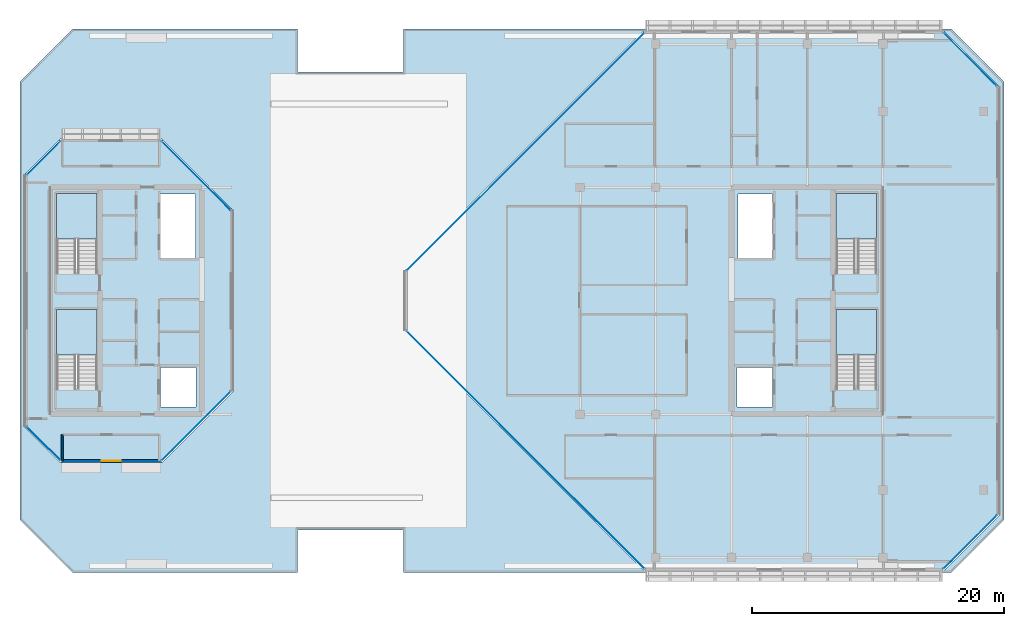
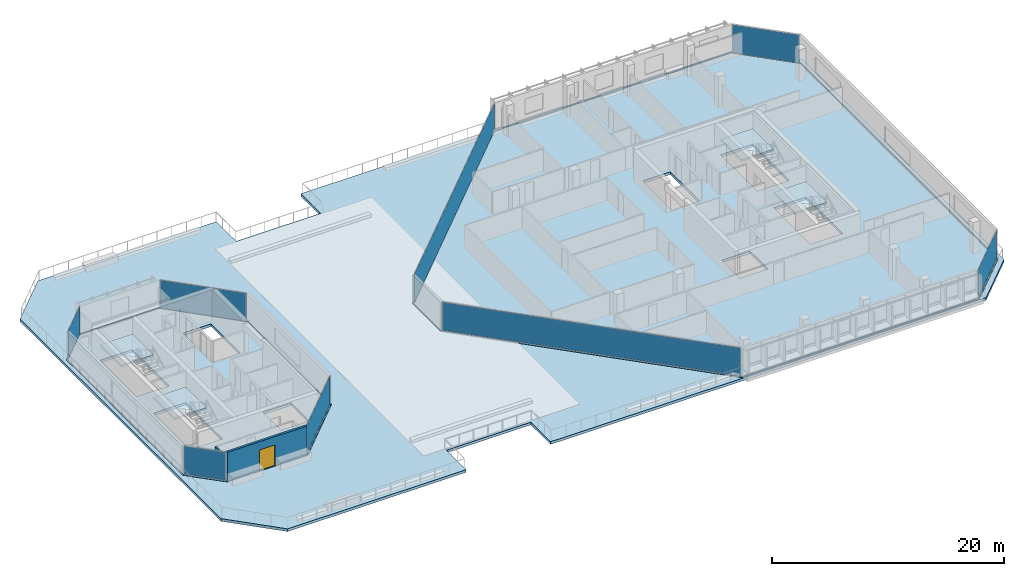
# One storey, part 20 of 30: 8 plates, 7 slabs, 2 walls, 1 door, 1 opening, 12 elements without a shape of their own.
"""IFC4 building model written with IfcOpenShell, lengths in metres."""

import ifcopenshell
import ifcopenshell.guid

model = None  # the IFC model being written
_history = None  # IfcOwnerHistory: only IFC2X3 demands one
_inside = {}  # id of a spatial element -> (the spatial element, [elements in it])
_under = {}  # id of a project, library or spatial element -> (it, [spatial elements below it])
_declared = {}  # id of a project -> (the project, [libraries it declares])
_typed = {}  # id of a type object -> (the type object, [elements of that type])
_made_of = {}  # id of a material, layer set ... -> (it, [elements and type objects made of it])


def new_model(schema):
    """Start an empty IFC model of exactly this schema.

    Asked for "IFC4X3", IfcOpenShell would pick the latest addendum, in which some entities
    have other attributes; the version numbers below select the first issue.
    IFC2X3 requires an IfcOwnerHistory on every rooted entity: one is made here for all.
    """
    global model, _history
    if schema == "IFC4X3":
        model = ifcopenshell.file(schema_version=(4, 3, 0, 0))
    else:
        model = ifcopenshell.file(schema=schema)
    _inside.clear()
    _under.clear()
    _declared.clear()
    _typed.clear()
    _made_of.clear()
    _history = None
    if model.schema == "IFC2X3":
        org = make("IfcOrganization", Name="unknown")
        user = make(
            "IfcPersonAndOrganization",
            ThePerson=make("IfcPerson", FamilyName="unknown"),
            TheOrganization=org,
        )
        app = make(
            "IfcApplication",
            ApplicationDeveloper=org,
            Version="unknown",
            ApplicationFullName="unknown",
            ApplicationIdentifier="unknown",
        )
        _history = make(
            "IfcOwnerHistory",
            OwningUser=user,
            OwningApplication=app,
            ChangeAction="ADDED",
            CreationDate=0,
        )
    return model


def make(cls, **values):
    """One entity of the class cls with the attributes given. An attribute that is None is left unset."""
    return model.create_entity(
        cls, **{name: value for name, value in values.items() if value is not None}
    )


def rooted(cls, **values):
    """An entity with a GlobalId (a new one), such as an element, a storey or a relation."""
    return make(cls, GlobalId=ifcopenshell.guid.new(), OwnerHistory=_history, **values)


def si_unit(unit_type, name, prefix=None):
    """IfcSIUnit, for example si_unit("LENGTHUNIT", "METRE", prefix="MILLI")."""
    return make("IfcSIUnit", UnitType=unit_type, Prefix=prefix, Name=name)


def assignment(units):
    """IfcUnitAssignment: the units of a project."""
    return None if units is None else make("IfcUnitAssignment", Units=units)


def point(xyz):
    """IfcCartesianPoint."""
    return None if xyz is None else make("IfcCartesianPoint", Coordinates=xyz)


def direction(xyz):
    """IfcDirection."""
    return None if xyz is None else make("IfcDirection", DirectionRatios=xyz)


def frame(location, z_axis=None, x_axis=None):
    """IfcAxis2Placement3D, a coordinate frame: its origin and axes. An axis left out is left unset."""
    return make(
        "IfcAxis2Placement3D",
        Location=point(location),
        Axis=direction(z_axis),
        RefDirection=direction(x_axis),
    )


def frame_2d(location, x_axis=None):
    """IfcAxis2Placement2D, a coordinate frame in the plane: its origin and x axis."""
    return make(
        "IfcAxis2Placement2D", Location=point(location), RefDirection=direction(x_axis)
    )


def origin():
    """The frame at (0, 0, 0) with its axes left unset."""
    return frame((0.0, 0.0, 0.0))


def origin_2d():
    """The frame at (0, 0) in the plane with its x axis left unset."""
    return frame_2d((0.0, 0.0))


def place(relative_to, where):
    """IfcLocalPlacement: puts the frame where relative to a parent placement (None: the world)."""
    return make(
        "IfcLocalPlacement", PlacementRelTo=relative_to, RelativePlacement=where
    )


def context(
    kind, dimensions, precision=None, world=None, true_north=None, identifier=None
):
    """IfcGeometricRepresentationContext, for example the 3D "Model" context."""
    return make(
        "IfcGeometricRepresentationContext",
        ContextIdentifier=identifier,
        ContextType=kind,
        CoordinateSpaceDimension=dimensions,
        Precision=precision,
        WorldCoordinateSystem=world,
        TrueNorth=true_north,
    )


def subcontext(parent, identifier, kind, view, scale=None):
    """IfcGeometricRepresentationSubContext, for example "Body" below "Model"."""
    return make(
        "IfcGeometricRepresentationSubContext",
        ContextIdentifier=identifier,
        ContextType=kind,
        ParentContext=parent,
        TargetScale=scale,
        TargetView=view,
    )


def project(units=None, contexts=None):
    """IfcProject with its units and contexts."""
    return rooted(
        "IfcProject",
        Name="project",
        RepresentationContexts=contexts,
        UnitsInContext=assignment(units),
    )


def spatial(cls, under=None, at=None, **own):
    """A site, building, storey or space (cls), placed at a placement, below another one or the project."""
    s = rooted(cls, ObjectPlacement=at, **own)
    if under is not None:
        _under.setdefault(under.id(), (under, []))[1].append(s)
    return s


def polyline(points):
    """IfcPolyline through the points."""
    return make("IfcPolyline", Points=[point(p) for p in points])


def profile(cls, at=None, kind="AREA", **sizes):
    """A parametric profile (cls). Its sizes go by their IFC names, for example OverallWidth=200.0."""
    return make(cls, ProfileType=kind, Position=at, **sizes)


def rectangle(**sizes):
    """IfcRectangleProfileDef."""
    return profile("IfcRectangleProfileDef", **sizes)


def outline(outer, holes=None, kind="AREA"):
    """IfcArbitraryClosedProfileDef: a profile drawn as a closed curve; with holes, ...WithVoids."""
    if holes is None:
        return make("IfcArbitraryClosedProfileDef", ProfileType=kind, OuterCurve=outer)
    return make(
        "IfcArbitraryProfileDefWithVoids",
        ProfileType=kind,
        OuterCurve=outer,
        InnerCurves=holes,
    )


def extrude(swept, where, along, depth):
    """IfcExtrudedAreaSolid: the profile swept, set in the frame where, extruded along a direction by depth."""
    return make(
        "IfcExtrudedAreaSolid",
        SweptArea=swept,
        Position=where,
        ExtrudedDirection=direction(along),
        Depth=depth,
    )


def shape(context_of_items, identifier, shape_type, items):
    """IfcShapeRepresentation: the items that make up one representation, for example the "Body"."""
    return make(
        "IfcShapeRepresentation",
        ContextOfItems=context_of_items,
        RepresentationIdentifier=identifier,
        RepresentationType=shape_type,
        Items=items,
    )


def material(Name=None, Category=None):
    """IfcMaterial."""
    return make("IfcMaterial", Name=Name, Category=Category)


def layer(
    of_material, thickness, ventilated=None, Name=None, Category=None, Priority=None
):
    """IfcMaterialLayer: one layer of a wall or slab, of a material (None: an air gap)."""
    return make(
        "IfcMaterialLayer",
        Material=of_material,
        LayerThickness=thickness,
        IsVentilated=ventilated,
        Name=Name,
        Category=Category,
        Priority=Priority,
    )


def layer_set(layers, Name=None):
    """IfcMaterialLayerSet."""
    return make("IfcMaterialLayerSet", MaterialLayers=layers, LayerSetName=Name)


def made_of(thing, what):
    """Note that an element or type object is made of a material, layer set ...; save() writes the relation."""
    if what is not None:
        _made_of.setdefault(what.id(), (what, []))[1].append(thing)
    return thing


def type_object(cls, material=None, **own):
    """A type object (cls), such as IfcWallType, which elements share."""
    return made_of(rooted(cls, **own), material)


def element(
    cls,
    number,
    at=None,
    inside=None,
    cuts=None,
    type_object=None,
    material=None,
    context=None,
    identifier="Body",
    shape_type=None,
    held_by="IfcProductDefinitionShape",
    body=None,
    shapes=None,
    **own,
):
    """One element of the class cls, such as IfcWall. Its Tag is "e" and its number.

    at: its placement. inside: the storey or other place that contains it. cuts: it is an
    opening in that element (IfcRelVoidsElement). A single representation is given by context,
    identifier, shape_type and body (its items); several are given by shapes. held_by: the class
    of the entity that holds the representations. save() writes the other relations.
    """
    e = rooted(cls, Tag="e%d" % number, ObjectPlacement=at, **own)
    if body is not None:
        shapes = [shape(context, identifier, shape_type, body)]
    if shapes is not None:
        e.Representation = make(held_by, Representations=shapes)
    if inside is not None:
        _inside.setdefault(inside.id(), (inside, []))[1].append(e)
    if cuts is not None:
        rooted(
            "IfcRelVoidsElement", RelatingBuildingElement=cuts, RelatedOpeningElement=e
        )
    if type_object is not None:
        _typed.setdefault(type_object.id(), (type_object, []))[1].append(e)
    return made_of(e, material)


def fill(opening, filler):
    """IfcRelFillsElement: the door or window that sits in an opening."""
    return rooted(
        "IfcRelFillsElement",
        RelatingOpeningElement=opening,
        RelatedBuildingElement=filler,
    )


def aggregate(whole, parts):
    """IfcRelAggregates: a whole, such as a stair, and the parts it consists of."""
    return rooted("IfcRelAggregates", RelatingObject=whole, RelatedObjects=parts)


def save(model, path):
    """Write the relations noted so far, then the file.

    IfcRelAggregates (storeys below a building ...), IfcRelContainedInSpatialStructure (elements
    in a storey), IfcRelDefinesByType, IfcRelAssociatesMaterial and IfcRelDeclares: one each for
    every whole, place, type object, material and project.
    """
    for whole, parts in _under.values():
        aggregate(whole, parts)
    for where, things in _inside.values():
        rooted(
            "IfcRelContainedInSpatialStructure",
            RelatedElements=things,
            RelatingStructure=where,
        )
    for kind, things in _typed.values():
        rooted("IfcRelDefinesByType", RelatedObjects=things, RelatingType=kind)
    for what, things in _made_of.values():
        rooted("IfcRelAssociatesMaterial", RelatedObjects=things, RelatingMaterial=what)
    for by, libraries in _declared.values():
        rooted("IfcRelDeclares", RelatingContext=by, RelatedDefinitions=libraries)
    model.write(path)


model = new_model("IFC4")

# Units and contexts
model_context = context("Model", 3, precision=1e-05, world=origin(), true_north=direction((0.0, 1.0)))
body_context = subcontext(model_context, "Body", "Model", "MODEL_VIEW")
ifc_project = project(units=[si_unit("LENGTHUNIT", "METRE"), si_unit("AREAUNIT", "SQUARE_METRE"), si_unit("VOLUMEUNIT", "CUBIC_METRE"), si_unit("PLANEANGLEUNIT", "RADIAN"), si_unit("MASSUNIT", "GRAM", prefix="KILO")], contexts=[model_context])

# Site, building, storey
site_placement = place(None, origin())
site = spatial("IfcSite", under=ifc_project, at=site_placement, CompositionType="ELEMENT")
building_placement = place(site_placement, origin())
building = spatial("IfcBuilding", under=site, at=building_placement, Name="Tanjung Sevakor Pilgrim Tower", CompositionType="ELEMENT")
storey_placement = place(building_placement, frame((0.0, 0.0, 229.35009765625)))
storey = spatial("IfcBuildingStorey", under=building, at=storey_placement, Name="L64", CompositionType="ELEMENT", Elevation=229.35009765625)

# Stair, slab
ifc_material_1 = material(Name="Concrete C40/50", Category="concrete")
stair_type = type_object("IfcStairType", Name="STAIR-ST-CR150", PredefinedType="HALF_TURN_STAIR", material=ifc_material_1)
stair_1_placement = place(storey_placement, origin())
stair_1 = element("IfcStair", 1, at=stair_1_placement, inside=storey, type_object=stair_type, Name="L64 West Core Exit Stair 1", PredefinedType="HALF_TURN_STAIR")
ifc_material_2 = material(Name="Concrete C40/50", Category="concrete")
ifc_layer_1 = layer(ifc_material_2, 0.199951171875)
ifc_layer_set_1 = layer_set([ifc_layer_1], Name="SL-LAND-200")
slab_type_1 = type_object("IfcSlabType", Name="SL-LAND-200", PredefinedType="LANDING", material=ifc_layer_set_1)
slab_1_placement = place(storey_placement, frame((0.0, 0.0, 1.449951171875)))
slab_1 = element("IfcSlab", 2, at=slab_1_placement, type_object=slab_type_1, Name="TS-W1 landing 1", PredefinedType="LANDING", context=body_context, shape_type="SweptSolid", body=[
    extrude(outline(polyline([(27.699951171875, 29.300048828125), (27.699951171875, 32.89990234375), (24.5, 32.89990234375), (24.5, 29.300048828125), (27.699951171875, 29.300048828125)])), origin(), (0.0, 0.0, 1.0), 0.199951171875),
])
aggregate(stair_1, [slab_1])

stair_2_placement = place(storey_placement, origin())
stair_2 = element("IfcStair", 3, at=stair_2_placement, inside=storey, type_object=stair_type, Name="L64 West Core Exit Stair 2", PredefinedType="HALF_TURN_STAIR")
slab_2_placement = place(storey_placement, frame((0.0, 0.0, 1.449951171875)))
slab_2 = element("IfcSlab", 4, at=slab_2_placement, type_object=slab_type_1, Name="TS-W2 landing 1", PredefinedType="LANDING", context=body_context, shape_type="SweptSolid", body=[
    extrude(outline(polyline([(27.699951171875, 38.5), (27.699951171875, 42.10009765625), (24.5, 42.10009765625), (24.5, 38.5), (27.699951171875, 38.5)])), origin(), (0.0, 0.0, 1.0), 0.199951171875),
])
aggregate(stair_2, [slab_2])

stair_3_placement = place(storey_placement, origin())
stair_3 = element("IfcStair", 5, at=stair_3_placement, inside=storey, type_object=stair_type, Name="L64 East Core Exit Stair 1", PredefinedType="HALF_TURN_STAIR")
slab_3_placement = place(storey_placement, frame((0.0, 0.0, 1.449951171875)))
slab_3 = element("IfcSlab", 6, at=slab_3_placement, type_object=slab_type_1, Name="TS-E1 landing 1", PredefinedType="LANDING", context=body_context, shape_type="SweptSolid", body=[
    extrude(outline(polyline([(89.5, 29.300048828125), (89.5, 32.89990234375), (86.300048828125, 32.89990234375), (86.300048828125, 29.300048828125), (89.5, 29.300048828125)])), origin(), (0.0, 0.0, 1.0), 0.199951171875),
])
aggregate(stair_3, [slab_3])

stair_4_placement = place(storey_placement, origin())
stair_4 = element("IfcStair", 7, at=stair_4_placement, inside=storey, type_object=stair_type, Name="L64 East Core Exit Stair 2", PredefinedType="HALF_TURN_STAIR")
slab_4_placement = place(storey_placement, frame((0.0, 0.0, 1.449951171875)))
slab_4 = element("IfcSlab", 8, at=slab_4_placement, type_object=slab_type_1, Name="TS-E2 landing 1", PredefinedType="LANDING", context=body_context, shape_type="SweptSolid", body=[
    extrude(outline(polyline([(89.5, 38.5), (89.5, 42.10009765625), (86.300048828125, 42.10009765625), (86.300048828125, 38.5), (89.5, 38.5)])), origin(), (0.0, 0.0, 1.0), 0.199951171875),
])
aggregate(stair_4, [slab_4])

# Slabs
ifc_material_3 = material(Name="Concrete C40/50", Category="concrete")
ifc_layer_2 = layer(ifc_material_3, 0.280029296875)
ifc_layer_set_2 = layer_set([ifc_layer_2], Name="SL-SKY-280")
slab_type_2 = type_object("IfcSlabType", Name="SL-SKY-280", PredefinedType="FLOOR", material=ifc_layer_set_2)
slab_5_placement = place(storey_placement, frame((0.0, 0.0, -0.280029296875)))
element("IfcSlab", 9, at=slab_5_placement, inside=storey, type_object=slab_type_2, Name="L64 Floor Slab WEST", PredefinedType="FLOOR", context=body_context, shape_type="SweptSolid", body=[
    extrude(outline(polyline([(24.846923828125, 20.8798828125), (32.802978515625, 20.8798828125), (38.3701171875, 26.447021484375), (38.3701171875, 40.753173828125), (32.802978515625, 46.320068359375), (24.846923828125, 46.320068359375), (22.080078125, 43.552978515625), (22.080078125, 23.64697265625), (24.846923828125, 20.8798828125)]), holes=[polyline([(27.699951171875, 26.60009765625), (27.699951171875, 32.89990234375), (24.5, 32.89990234375), (24.5, 26.60009765625), (27.699951171875, 26.60009765625)]), polyline([(27.699951171875, 35.800048828125), (27.699951171875, 42.10009765625), (24.5, 42.10009765625), (24.5, 35.800048828125), (27.699951171875, 35.800048828125)]), polyline([(32.75, 25.199951171875), (35.550048828125, 25.199951171875), (35.550048828125, 28.300048828125), (32.75, 28.300048828125), (32.75, 25.199951171875)]), polyline([(32.75, 37.0), (35.5, 37.0), (35.5, 42.050048828125), (32.75, 42.050048828125), (32.75, 37.0)])]), origin(), (0.0, 0.0, 1.0), 0.280029296875),
])
slab_6_placement = place(storey_placement, frame((0.0, 0.0, -0.280029296875)))
element("IfcSlab", 10, at=slab_6_placement, inside=storey, type_object=slab_type_2, Name="L64 Floor Slab EAST", PredefinedType="FLOOR", context=body_context, shape_type="SweptSolid", body=[
    extrude(outline(polyline([(71.14697265625, 12.280029296875), (94.753173828125, 12.280029296875), (99.1201171875, 16.64697265625), (99.1201171875, 50.552978515625), (94.753173828125, 54.919921875), (71.14697265625, 54.919921875), (52.179931640625, 35.953125), (52.179931640625, 31.246826171875), (71.14697265625, 12.280029296875)]), holes=[polyline([(89.5, 26.60009765625), (89.5, 32.89990234375), (86.300048828125, 32.89990234375), (86.300048828125, 26.60009765625), (89.5, 26.60009765625)]), polyline([(89.5, 35.800048828125), (89.5, 42.10009765625), (86.300048828125, 42.10009765625), (86.300048828125, 35.800048828125), (89.5, 35.800048828125)]), polyline([(78.449951171875, 25.199951171875), (81.25, 25.199951171875), (81.25, 28.300048828125), (78.449951171875, 28.300048828125), (78.449951171875, 25.199951171875)]), polyline([(78.5, 37.0), (81.25, 37.0), (81.25, 42.050048828125), (78.5, 42.050048828125), (78.5, 37.0)])]), origin(), (0.0, 0.0, 1.0), 0.280029296875),
])
ifc_material_4 = material(Name="Concrete C40/50", Category="concrete")
ifc_layer_3 = layer(ifc_material_4, 0.239990234375)
ifc_layer_set_3 = layer_set([ifc_layer_3], Name="SL-TER-240")
slab_type_3 = type_object("IfcSlabType", Name="SL-TER-240", PredefinedType="FLOOR", material=ifc_layer_set_3)
slab_7_placement = place(storey_placement, frame((0.0, 0.0, -0.280029296875)))
element("IfcSlab", 11, at=slab_7_placement, inside=storey, type_object=slab_type_3, Name="L64 Crown Split Sky-Garden Terrace", PredefinedType="FLOOR", context=body_context, shape_type="SweptSolid", body=[
    extrude(outline(polyline([(25.800048828125, 12.050048828125), (43.60009765625, 12.050048828125), (43.60009765625, 15.449951171875), (52.0, 15.449951171875), (52.0, 12.050048828125), (95.39990234375, 12.050048828125), (99.60009765625, 16.25), (99.60009765625, 50.949951171875), (95.39990234375, 55.14990234375), (52.0, 55.14990234375), (52.0, 51.75), (43.60009765625, 51.75), (43.60009765625, 55.14990234375), (25.800048828125, 55.14990234375), (21.60009765625, 50.949951171875), (21.60009765625, 16.25), (25.800048828125, 12.050048828125)]), holes=[polyline([(24.788330078125, 20.780029296875), (32.86181640625, 20.780029296875), (38.469970703125, 26.38818359375), (38.469970703125, 40.811767578125), (32.86181640625, 46.419921875), (24.788330078125, 46.419921875), (21.97998046875, 43.61181640625), (21.97998046875, 23.58837890625), (24.788330078125, 20.780029296875)]), polyline([(71.08837890625, 12.179931640625), (94.811767578125, 12.179931640625), (99.219970703125, 16.58837890625), (99.219970703125, 50.61181640625), (94.811767578125, 55.02001953125), (71.08837890625, 55.02001953125), (52.080078125, 36.01171875), (52.080078125, 31.188232421875), (71.08837890625, 12.179931640625)])]), origin(), (0.0, 0.0, 1.0), 0.280029296875),
])

# Curtain wall, plate
ifc_material_5 = material(Name="Aluminium 6063-T6 and Low-E Glass", Category="aluminium")
ifc_layer_4 = layer(ifc_material_5, 0.179931640625)
ifc_layer_set_4 = layer_set([ifc_layer_4], Name="CW-SYS-CHAM")
curtain_wall_type = type_object("IfcCurtainWallType", Name="CW-SYS-CHAM", PredefinedType="NOTDEFINED", material=ifc_layer_set_4)
curtain_wall_1_placement = place(storey_placement, origin())
curtain_wall_1 = element("IfcCurtainWall", 12, at=curtain_wall_1_placement, inside=storey, type_object=curtain_wall_type, Name="L64 Curtain Wall CW-CHM-L64-WEST-1", PredefinedType="NOTDEFINED")
ifc_material_6 = material(Name="Laminated Low-E Double Glazing", Category="glass")
ifc_layer_5 = layer(ifc_material_6, 0.028076171875)
ifc_layer_set_5 = layer_set([ifc_layer_5], Name="TYPE-CWP-GLZ1")
plate_type = type_object("IfcPlateType", Name="TYPE-CWP-GLZ1", PredefinedType="CURTAIN_PANEL", material=ifc_layer_set_5)
plate_1_placement = place(storey_placement, frame((35.572265625, 23.677734375, 0.06494140625), z_axis=(0.0, 0.0, 1.0), x_axis=(0.707106781187, 0.707106781187, 0.0)))
plate_1 = element("IfcPlate", 13, at=plate_1_placement, type_object=plate_type, Name="CW-CHM panel 1.1", PredefinedType="CURTAIN_PANEL", context=body_context, shape_type="SweptSolid", body=[
    extrude(rectangle(XDim=7.698486328125, YDim=0.028076171875, at=origin_2d()), origin(), (0.0, 0.0, 1.0), 2.949951171875),
])
aggregate(curtain_wall_1, [plate_1])

curtain_wall_2_placement = place(storey_placement, origin())
curtain_wall_2 = element("IfcCurtainWall", 14, at=curtain_wall_2_placement, inside=storey, type_object=curtain_wall_type, Name="L64 Curtain Wall CW-CHM-L64-WEST-3", PredefinedType="NOTDEFINED")
plate_2_placement = place(storey_placement, frame((35.572265625, 43.522216796875, 0.06494140625), z_axis=(0.0, 0.0, 1.0), x_axis=(-0.707106781187, 0.707106781187, 0.0)))
plate_2 = element("IfcPlate", 15, at=plate_2_placement, type_object=plate_type, Name="CW-CHM panel 1.1", PredefinedType="CURTAIN_PANEL", context=body_context, shape_type="SweptSolid", body=[
    extrude(rectangle(XDim=7.698486328125, YDim=0.028076171875, at=origin_2d()), origin(), (0.0, 0.0, 1.0), 2.949951171875),
])
aggregate(curtain_wall_2, [plate_2])

curtain_wall_3_placement = place(storey_placement, origin())
curtain_wall_3 = element("IfcCurtainWall", 16, at=curtain_wall_3_placement, inside=storey, type_object=curtain_wall_type, Name="L64 Curtain Wall CW-CHM-L64-WEST-5", PredefinedType="NOTDEFINED")
plate_3_placement = place(storey_placement, frame((23.477783203125, 44.922119140625, 0.06494140625), z_axis=(0.0, 0.0, 1.0), x_axis=(-0.707106781187, -0.707106781187, 0.0)))
plate_3 = element("IfcPlate", 17, at=plate_3_placement, type_object=plate_type, Name="CW-CHM panel 1.1", PredefinedType="CURTAIN_PANEL", context=body_context, shape_type="SweptSolid", body=[
    extrude(rectangle(XDim=3.73876953125, YDim=0.028076171875, at=origin_2d()), origin(), (0.0, 0.0, 1.0), 2.949951171875),
])
aggregate(curtain_wall_3, [plate_3])

curtain_wall_4_placement = place(storey_placement, origin())
curtain_wall_4 = element("IfcCurtainWall", 18, at=curtain_wall_4_placement, inside=storey, type_object=curtain_wall_type, Name="L64 Curtain Wall CW-CHM-L64-WEST-7", PredefinedType="NOTDEFINED")
plate_4_placement = place(storey_placement, frame((23.477783203125, 22.27783203125, 0.06494140625), z_axis=(0.0, 0.0, 1.0), x_axis=(0.707106781187, -0.707106781187, 0.0)))
plate_4 = element("IfcPlate", 19, at=plate_4_placement, type_object=plate_type, Name="CW-CHM panel 1.1", PredefinedType="CURTAIN_PANEL", context=body_context, shape_type="SweptSolid", body=[
    extrude(rectangle(XDim=3.73876953125, YDim=0.028076171875, at=origin_2d()), origin(), (0.0, 0.0, 1.0), 2.949951171875),
])
aggregate(curtain_wall_4, [plate_4])

curtain_wall_5_placement = place(storey_placement, origin())
curtain_wall_5 = element("IfcCurtainWall", 20, at=curtain_wall_5_placement, inside=storey, type_object=curtain_wall_type, Name="L64 Curtain Wall CW-CHM-L64-EAST-1", PredefinedType="NOTDEFINED")
plate_5_placement = place(storey_placement, frame((96.922119140625, 14.477783203125, 0.06494140625), z_axis=(0.0, 0.0, 1.0), x_axis=(0.707106781187, 0.707106781187, 0.0)))
plate_5 = element("IfcPlate", 21, at=plate_5_placement, type_object=plate_type, Name="CW-CHM panel 1.1", PredefinedType="CURTAIN_PANEL", context=body_context, shape_type="SweptSolid", body=[
    extrude(rectangle(XDim=6.00146484375, YDim=0.028076171875, at=origin_2d()), origin(), (0.0, 0.0, 1.0), 2.949951171875),
])
aggregate(curtain_wall_5, [plate_5])

curtain_wall_6_placement = place(storey_placement, origin())
curtain_wall_6 = element("IfcCurtainWall", 22, at=curtain_wall_6_placement, inside=storey, type_object=curtain_wall_type, Name="L64 Curtain Wall CW-CHM-L64-EAST-3", PredefinedType="NOTDEFINED")
plate_6_placement = place(storey_placement, frame((96.922119140625, 52.72216796875, 0.06494140625), z_axis=(0.0, 0.0, 1.0), x_axis=(-0.707106781187, 0.707106781187, 0.0)))
plate_6 = element("IfcPlate", 23, at=plate_6_placement, type_object=plate_type, Name="CW-CHM panel 1.1", PredefinedType="CURTAIN_PANEL", context=body_context, shape_type="SweptSolid", body=[
    extrude(rectangle(XDim=6.00146484375, YDim=0.028076171875, at=origin_2d()), origin(), (0.0, 0.0, 1.0), 2.949951171875),
])
aggregate(curtain_wall_6, [plate_6])

curtain_wall_7_placement = place(storey_placement, origin())
curtain_wall_7 = element("IfcCurtainWall", 24, at=curtain_wall_7_placement, inside=storey, type_object=curtain_wall_type, Name="L64 Curtain Wall CW-CHM-L64-EAST-5", PredefinedType="NOTDEFINED")
plate_7_placement = place(storey_placement, frame((61.677734375, 45.422119140625, 0.06494140625), z_axis=(0.0, 0.0, 1.0), x_axis=(-0.707106781187, -0.707106781187, 0.0)))
plate_7 = element("IfcPlate", 25, at=plate_7_placement, type_object=plate_type, Name="CW-CHM panel 1.1", PredefinedType="CURTAIN_PANEL", context=body_context, shape_type="SweptSolid", body=[
    extrude(rectangle(XDim=26.64892578125, YDim=0.028076171875, at=origin_2d()), origin(), (0.0, 0.0, 1.0), 2.949951171875),
])
aggregate(curtain_wall_7, [plate_7])

curtain_wall_8_placement = place(storey_placement, origin())
curtain_wall_8 = element("IfcCurtainWall", 26, at=curtain_wall_8_placement, inside=storey, type_object=curtain_wall_type, Name="L64 Curtain Wall CW-CHM-L64-EAST-7", PredefinedType="NOTDEFINED")
plate_8_placement = place(storey_placement, frame((61.677734375, 21.77783203125, 0.06494140625), z_axis=(0.0, 0.0, 1.0), x_axis=(0.707106781187, -0.707106781187, 0.0)))
plate_8 = element("IfcPlate", 27, at=plate_8_placement, type_object=plate_type, Name="CW-CHM panel 1.1", PredefinedType="CURTAIN_PANEL", context=body_context, shape_type="SweptSolid", body=[
    extrude(rectangle(XDim=26.64892578125, YDim=0.028076171875, at=origin_2d()), origin(), (0.0, 0.0, 1.0), 2.949951171875),
])
aggregate(curtain_wall_8, [plate_8])

# Wall
ifc_material_7 = material(Name="Concrete C40/50", Category="concrete")
ifc_layer_6 = layer(ifc_material_7, 0.14990234375)
ifc_layer_set_6 = layer_set([ifc_layer_6], Name="WT-COMP-150")
wall_type_1 = type_object("IfcWallType", Name="WT-COMP-150", PredefinedType="SOLIDWALL", material=ifc_layer_set_6)
wall_1_placement = place(storey_placement, frame((24.949951171875, 20.919921875, 0.0), z_axis=(0.0, 0.0, 1.0), x_axis=(0.0, 1.0, 0.0)))
element("IfcWall", 28, at=wall_1_placement, inside=storey, type_object=wall_type_1, Name="L64 Partition IW-L64-028", PredefinedType="SOLIDWALL", context=body_context, shape_type="SweptSolid", body=[
    extrude(rectangle(XDim=2.06005859375, YDim=0.14990234375, at=frame_2d((1.030029296875, 0.0))), origin(), (0.0, 0.0, 1.0), 2.35009765625),
])

# Wall, opening, door
ifc_material_8 = material(Name="Precast concrete C45/55", Category="concrete")
ifc_layer_7 = layer(ifc_material_8, 0.219970703125)
ifc_layer_set_7 = layer_set([ifc_layer_7], Name="WT-EW-STN4")
wall_type_2 = type_object("IfcWallType", Name="WT-EW-STN4", PredefinedType="SOLIDWALL", material=ifc_layer_set_7)
wall_2_placement = place(storey_placement, frame((24.845703125, 20.909912109375, 0.0), z_axis=(0.0, 0.0, 1.0), x_axis=(1.0, 0.0, 0.0)))
wall_2 = element("IfcWall", 29, at=wall_2_placement, inside=storey, type_object=wall_type_2, Name="L64 WEST Exterior Wall 1", PredefinedType="SOLIDWALL", context=body_context, shape_type="SweptSolid", body=[
    extrude(rectangle(XDim=7.958740234375, YDim=0.219970703125, at=frame_2d((3.9794921875, 0.0))), origin(), (0.0, 0.0, 1.0), 3.080078125),
])
opening_placement = place(wall_2_placement, frame((3.2294921875, 0.0, 0.0)))
opening = element("IfcOpeningElement", 30, at=opening_placement, cuts=wall_2, Name="Opening ED-TER-1500", PredefinedType="OPENING", context=body_context, shape_type="SweptSolid", body=[
    extrude(rectangle(XDim=1.5, YDim=2.199951171875, at=frame_2d((0.75, 1.10009765625))), frame((0.0, 0.119873046875, 0.0), z_axis=(0.0, -1.0, 0.0), x_axis=(1.0, 0.0, 0.0)), (0.0, 0.0, 1.0), 0.239990234375),
])
ifc_material_9 = material(Name="Anodised Aluminium and Laminated Glass", Category="aluminium")
door_type = type_object("IfcDoorType", Name="DTYP-ED-TER-1500", OperationType="DOUBLE_DOOR_SINGLE_SWING", PredefinedType="DOOR", material=ifc_material_9)
door_placement = place(opening_placement, frame((1.5, 0.0, 0.0), z_axis=(0.0, 0.0, 1.0), x_axis=(-1.0, 0.0, 0.0)))
door = element("IfcDoor", 31, at=door_placement, inside=storey, type_object=door_type, Name="L64 Crown Terrace Door W", OperationType="SINGLE_SWING_LEFT", OverallHeight=2.199951171875, OverallWidth=1.5, PredefinedType="DOOR", context=body_context, shape_type="SweptSolid", body=[
    extrude(rectangle(XDim=1.5, YDim=2.199951171875, at=frame_2d((0.75, 1.10009765625))), frame((0.0, 0.02490234375, 0.0), z_axis=(0.0, -1.0, 0.0), x_axis=(1.0, 0.0, 0.0)), (0.0, 0.0, 1.0), 0.050048828125),
])
fill(opening, door)

save(model, "model.ifc")
